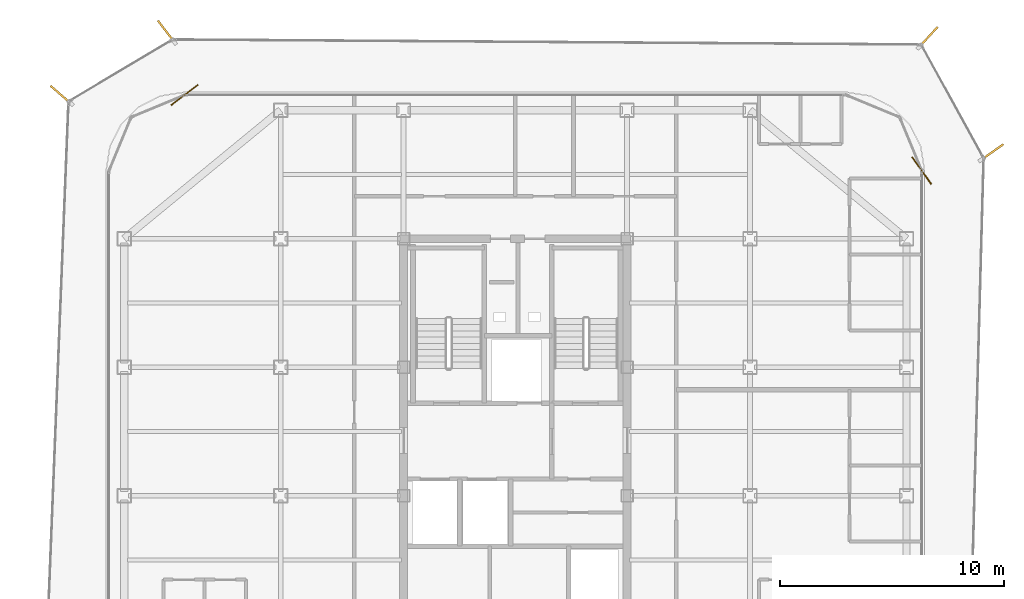
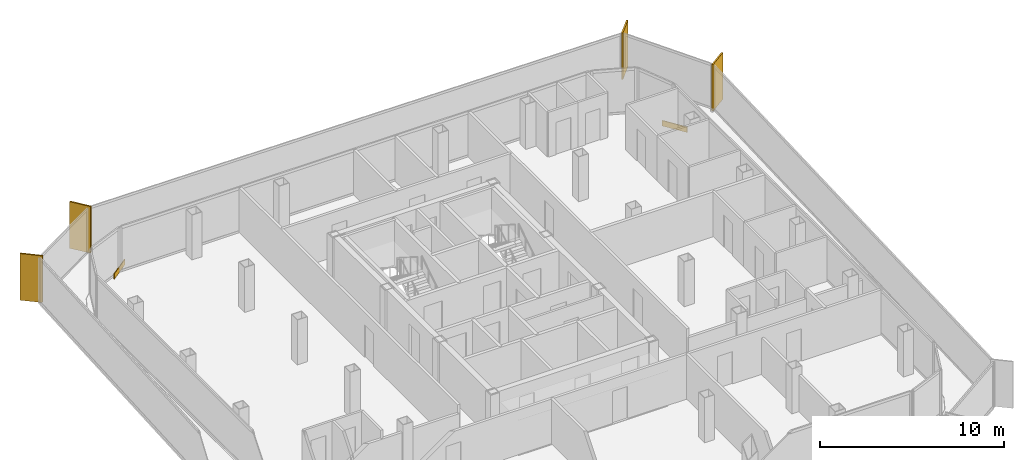
# One storey, part 15 of 15: 4 shading devices, 2 coverings.
"""IFC4 building model written with IfcOpenShell, lengths in metres."""

from ifc_helpers import new_model, si_unit, direction, frame, origin, origin_2d, place, context, subcontext, project, spatial, rectangle, extrude, source, transform, mapped, material, layer, layer_set, type_object, element, save


model = new_model("IFC4")

# Units and contexts
model_context = context("Model", 3, precision=1e-05, world=origin(), true_north=direction((0.0, 1.0)))
body_context = subcontext(model_context, "Body", "Model", "MODEL_VIEW")
ifc_project = project(units=[si_unit("LENGTHUNIT", "METRE"), si_unit("AREAUNIT", "SQUARE_METRE"), si_unit("VOLUMEUNIT", "CUBIC_METRE"), si_unit("PLANEANGLEUNIT", "RADIAN"), si_unit("MASSUNIT", "GRAM", prefix="KILO")], contexts=[model_context])

# Site, building, storey
site_placement = place(None, origin())
site = spatial("IfcSite", under=ifc_project, at=site_placement, CompositionType="ELEMENT")
building_placement = place(site_placement, origin())
building = spatial("IfcBuilding", under=site, at=building_placement, Name="Kolveth Station Tower", CompositionType="ELEMENT")
storey_placement = place(building_placement, frame((0.0, 0.0, 268.10009765625)))
storey = spatial("IfcBuildingStorey", under=building, at=storey_placement, Name="L77", CompositionType="ELEMENT", Elevation=268.10009765625)

# Shading devices
ifc_material_1 = material(Name="Black anodized aluminium 6063-T6", Category="aluminium")
shading_device_type = type_object("IfcShadingDeviceType", Name="FIN_VF1", PredefinedType="USERDEFINED", material=ifc_material_1)
shared_shape_1 = source(origin(), body_context, "Body", "SweptSolid", [
    extrude(rectangle(XDim=1.25, YDim=0.090087890625, at=origin_2d()), origin(), (0.0, 0.0, 1.0), 3.10009765625),
])
for number, where, z_axis, x_axis, name in (
    (1, (44.824951171875, 32.617919921875, -0.000244140625), (0.0, 0.0, 1.0), (0.818450677307, 0.574576791052, 0.0), "L77 Dark-Aluminium Solar Fin 3"),
    (2, (41.968994140625, 37.762939453125, -0.000244140625), (0.0, 0.0, 1.0), (0.676361912062, 0.736569456271, 0.0), "L77 Dark-Aluminium Solar Fin 4"),
    (3, (7.888916015625, 38.011962890625, -0.000244140625), (0.0, 0.0, 1.0), (-0.608484459368, 0.793565789779, 0.0), "L77 Dark-Aluminium Solar Fin 5"),
    (4, (3.176025390625, 35.18408203125, -0.000244140625), (0.0, 0.0, 1.0), (-0.757223096347, 0.653156323064, 0.0), "L77 Dark-Aluminium Solar Fin 6"),
):
    element("IfcShadingDevice", number, at=place(storey_placement, frame(where, z_axis=z_axis, x_axis=x_axis)), inside=storey, type_object=shading_device_type, Name=name, ObjectType="FIN", PredefinedType="USERDEFINED", context=body_context, shape_type="MappedRepresentation", body=[
        mapped(shared_shape_1, transform((0.0, 0.0, 0.0), x_axis=(1.0, 0.0, 0.0), y_axis=(0.0, 1.0, 0.0), z_axis=(0.0, 0.0, 1.0), scale=1.0)),
    ])

# Coverings
ifc_material_2 = material(Name="Charcoal anodized aluminium spandrel cladding", Category="aluminium")
ifc_layer = layer(ifc_material_2, 0.044921875)
ifc_layer_set = layer_set([ifc_layer], Name="Charcoal anodized aluminium spandrel cladding")
covering_type = type_object("IfcCoveringType", Name="Clad_CD1", PredefinedType="CLADDING", material=ifc_layer_set)
shared_shape_2 = source(origin(), body_context, "Body", "SweptSolid", [
    extrude(rectangle(XDim=1.5, YDim=0.044921875, at=origin_2d()), origin(), (0.0, 0.0, 1.0), 0.360107421875),
])
for number, where, z_axis, x_axis, name in (
    (5, (41.679931640625, 31.800048828125, 0.0), (0.0, 0.0, 1.0), (-0.574576791052, 0.818450677307, 0.0), "L77 Spandrel Edge Cladding 3"),
    (6, (8.699951171875, 35.179931640625, 0.0), (0.0, 0.0, 1.0), (-0.793565789779, -0.608484459368, 0.0), "L77 Spandrel Edge Cladding 5"),
):
    element("IfcCovering", number, at=place(storey_placement, frame(where, z_axis=z_axis, x_axis=x_axis)), inside=storey, type_object=covering_type, Name=name, PredefinedType="CLADDING", context=body_context, shape_type="MappedRepresentation", body=[
        mapped(shared_shape_2, transform((0.0, 0.0, 0.0), x_axis=(1.0, 0.0, 0.0), y_axis=(0.0, 1.0, 0.0), z_axis=(0.0, 0.0, 1.0), scale=1.0)),
    ])

save(model, "model.ifc")
